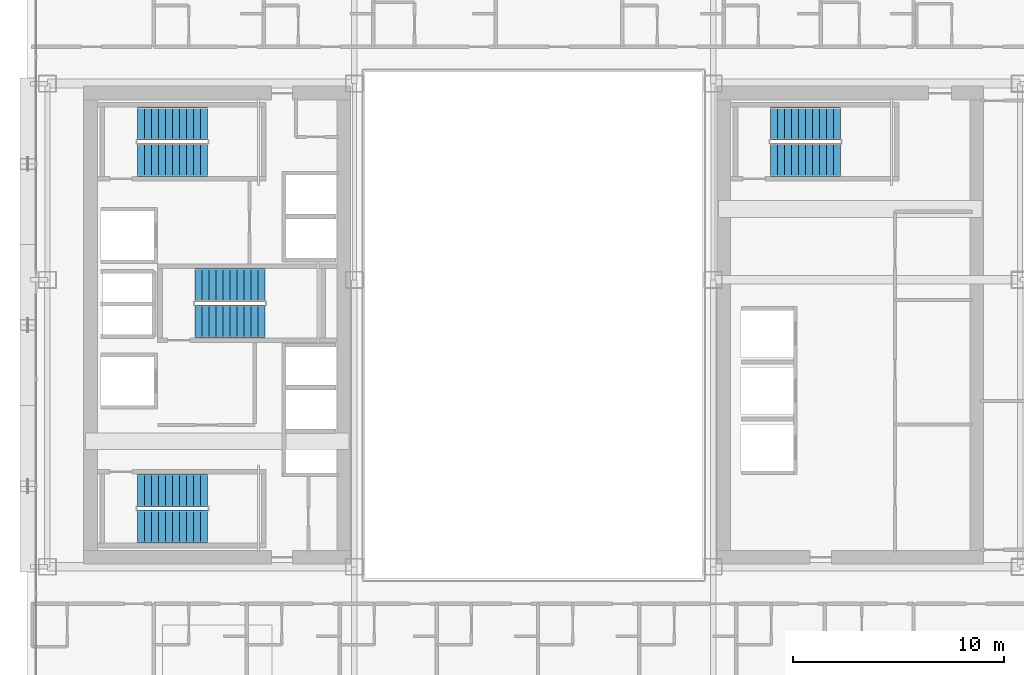
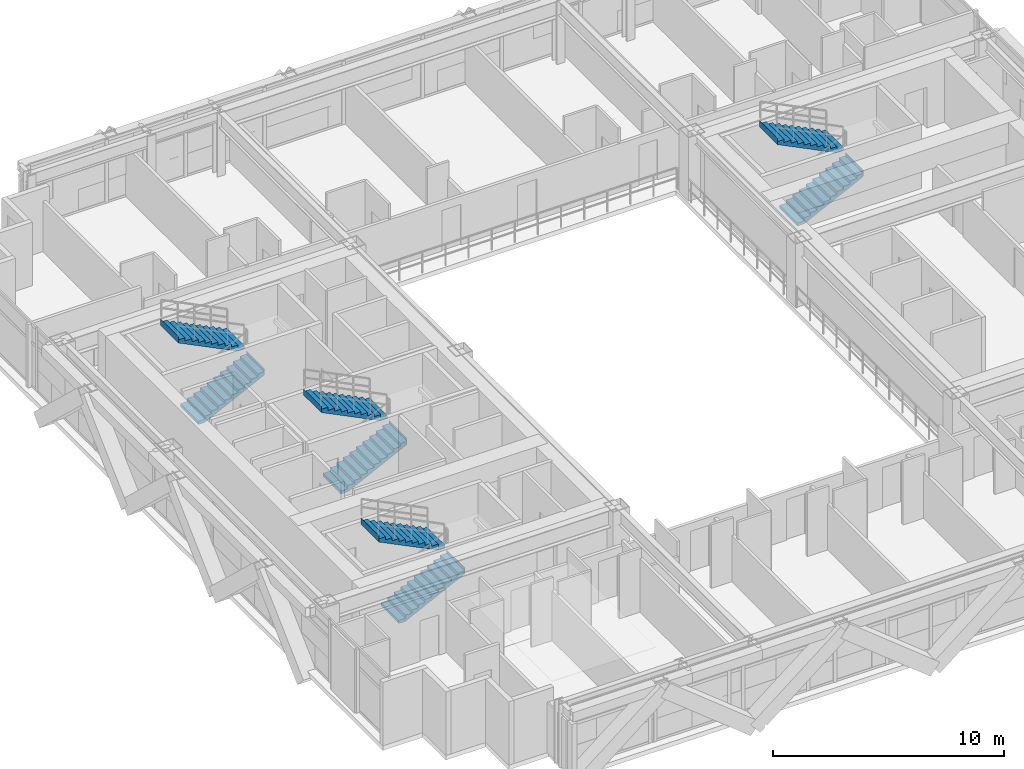
# One storey, part 32 of 36: 8 stair flights, 4 elements without a shape of their own.
"""IFC4 building model written with IfcOpenShell, lengths in metres."""

import ifcopenshell
import ifcopenshell.guid

model = None  # the IFC model being written
_history = None  # IfcOwnerHistory: only IFC2X3 demands one
_inside = {}  # id of a spatial element -> (the spatial element, [elements in it])
_under = {}  # id of a project, library or spatial element -> (it, [spatial elements below it])
_declared = {}  # id of a project -> (the project, [libraries it declares])
_typed = {}  # id of a type object -> (the type object, [elements of that type])
_made_of = {}  # id of a material, layer set ... -> (it, [elements and type objects made of it])


def new_model(schema):
    """Start an empty IFC model of exactly this schema.

    Asked for "IFC4X3", IfcOpenShell would pick the latest addendum, in which some entities
    have other attributes; the version numbers below select the first issue.
    IFC2X3 requires an IfcOwnerHistory on every rooted entity: one is made here for all.
    """
    global model, _history
    if schema == "IFC4X3":
        model = ifcopenshell.file(schema_version=(4, 3, 0, 0))
    else:
        model = ifcopenshell.file(schema=schema)
    _inside.clear()
    _under.clear()
    _declared.clear()
    _typed.clear()
    _made_of.clear()
    _history = None
    if model.schema == "IFC2X3":
        org = make("IfcOrganization", Name="unknown")
        user = make(
            "IfcPersonAndOrganization",
            ThePerson=make("IfcPerson", FamilyName="unknown"),
            TheOrganization=org,
        )
        app = make(
            "IfcApplication",
            ApplicationDeveloper=org,
            Version="unknown",
            ApplicationFullName="unknown",
            ApplicationIdentifier="unknown",
        )
        _history = make(
            "IfcOwnerHistory",
            OwningUser=user,
            OwningApplication=app,
            ChangeAction="ADDED",
            CreationDate=0,
        )
    return model


def make(cls, **values):
    """One entity of the class cls with the attributes given. An attribute that is None is left unset."""
    return model.create_entity(
        cls, **{name: value for name, value in values.items() if value is not None}
    )


def rooted(cls, **values):
    """An entity with a GlobalId (a new one), such as an element, a storey or a relation."""
    return make(cls, GlobalId=ifcopenshell.guid.new(), OwnerHistory=_history, **values)


def si_unit(unit_type, name, prefix=None):
    """IfcSIUnit, for example si_unit("LENGTHUNIT", "METRE", prefix="MILLI")."""
    return make("IfcSIUnit", UnitType=unit_type, Prefix=prefix, Name=name)


def assignment(units):
    """IfcUnitAssignment: the units of a project."""
    return None if units is None else make("IfcUnitAssignment", Units=units)


def point(xyz):
    """IfcCartesianPoint."""
    return None if xyz is None else make("IfcCartesianPoint", Coordinates=xyz)


def direction(xyz):
    """IfcDirection."""
    return None if xyz is None else make("IfcDirection", DirectionRatios=xyz)


def frame(location, z_axis=None, x_axis=None):
    """IfcAxis2Placement3D, a coordinate frame: its origin and axes. An axis left out is left unset."""
    return make(
        "IfcAxis2Placement3D",
        Location=point(location),
        Axis=direction(z_axis),
        RefDirection=direction(x_axis),
    )


def origin():
    """The frame at (0, 0, 0) with its axes left unset."""
    return frame((0.0, 0.0, 0.0))


def place(relative_to, where):
    """IfcLocalPlacement: puts the frame where relative to a parent placement (None: the world)."""
    return make(
        "IfcLocalPlacement", PlacementRelTo=relative_to, RelativePlacement=where
    )


def context(
    kind, dimensions, precision=None, world=None, true_north=None, identifier=None
):
    """IfcGeometricRepresentationContext, for example the 3D "Model" context."""
    return make(
        "IfcGeometricRepresentationContext",
        ContextIdentifier=identifier,
        ContextType=kind,
        CoordinateSpaceDimension=dimensions,
        Precision=precision,
        WorldCoordinateSystem=world,
        TrueNorth=true_north,
    )


def subcontext(parent, identifier, kind, view, scale=None):
    """IfcGeometricRepresentationSubContext, for example "Body" below "Model"."""
    return make(
        "IfcGeometricRepresentationSubContext",
        ContextIdentifier=identifier,
        ContextType=kind,
        ParentContext=parent,
        TargetScale=scale,
        TargetView=view,
    )


def project(units=None, contexts=None):
    """IfcProject with its units and contexts."""
    return rooted(
        "IfcProject",
        Name="project",
        RepresentationContexts=contexts,
        UnitsInContext=assignment(units),
    )


def spatial(cls, under=None, at=None, **own):
    """A site, building, storey or space (cls), placed at a placement, below another one or the project."""
    s = rooted(cls, ObjectPlacement=at, **own)
    if under is not None:
        _under.setdefault(under.id(), (under, []))[1].append(s)
    return s


def polyline(points):
    """IfcPolyline through the points."""
    return make("IfcPolyline", Points=[point(p) for p in points])


def outline(outer, holes=None, kind="AREA"):
    """IfcArbitraryClosedProfileDef: a profile drawn as a closed curve; with holes, ...WithVoids."""
    if holes is None:
        return make("IfcArbitraryClosedProfileDef", ProfileType=kind, OuterCurve=outer)
    return make(
        "IfcArbitraryProfileDefWithVoids",
        ProfileType=kind,
        OuterCurve=outer,
        InnerCurves=holes,
    )


def extrude(swept, where, along, depth):
    """IfcExtrudedAreaSolid: the profile swept, set in the frame where, extruded along a direction by depth."""
    return make(
        "IfcExtrudedAreaSolid",
        SweptArea=swept,
        Position=where,
        ExtrudedDirection=direction(along),
        Depth=depth,
    )


def shape(context_of_items, identifier, shape_type, items):
    """IfcShapeRepresentation: the items that make up one representation, for example the "Body"."""
    return make(
        "IfcShapeRepresentation",
        ContextOfItems=context_of_items,
        RepresentationIdentifier=identifier,
        RepresentationType=shape_type,
        Items=items,
    )


def source(mapping_origin, context_of_items, identifier, shape_type, items):
    """IfcRepresentationMap: a shape defined once, which mapped items show again and again."""
    return make(
        "IfcRepresentationMap",
        MappingOrigin=mapping_origin,
        MappedRepresentation=shape(context_of_items, identifier, shape_type, items),
    )


def transform(
    local_origin,
    x_axis=None,
    y_axis=None,
    z_axis=None,
    scale=None,
    scale2=None,
    scale3=None,
    uniform=True,
):
    """IfcCartesianTransformationOperator3D, or its non-uniform kind. x_axis, y_axis, z_axis: its Axis1, 2, 3."""
    if uniform:
        return make(
            "IfcCartesianTransformationOperator3D",
            Axis1=direction(x_axis),
            Axis2=direction(y_axis),
            LocalOrigin=point(local_origin),
            Scale=scale,
            Axis3=direction(z_axis),
        )
    return make(
        "IfcCartesianTransformationOperator3DnonUniform",
        Axis1=direction(x_axis),
        Axis2=direction(y_axis),
        LocalOrigin=point(local_origin),
        Scale=scale,
        Axis3=direction(z_axis),
        Scale2=scale2,
        Scale3=scale3,
    )


def mapped(mapping_source, mapping_target):
    """IfcMappedItem: shows the shape of a source again, moved by a transform."""
    return make(
        "IfcMappedItem", MappingSource=mapping_source, MappingTarget=mapping_target
    )


def material(Name=None, Category=None):
    """IfcMaterial."""
    return make("IfcMaterial", Name=Name, Category=Category)


def made_of(thing, what):
    """Note that an element or type object is made of a material, layer set ...; save() writes the relation."""
    if what is not None:
        _made_of.setdefault(what.id(), (what, []))[1].append(thing)
    return thing


def type_object(cls, material=None, **own):
    """A type object (cls), such as IfcWallType, which elements share."""
    return made_of(rooted(cls, **own), material)


def element(
    cls,
    number,
    at=None,
    inside=None,
    cuts=None,
    type_object=None,
    material=None,
    context=None,
    identifier="Body",
    shape_type=None,
    held_by="IfcProductDefinitionShape",
    body=None,
    shapes=None,
    **own,
):
    """One element of the class cls, such as IfcWall. Its Tag is "e" and its number.

    at: its placement. inside: the storey or other place that contains it. cuts: it is an
    opening in that element (IfcRelVoidsElement). A single representation is given by context,
    identifier, shape_type and body (its items); several are given by shapes. held_by: the class
    of the entity that holds the representations. save() writes the other relations.
    """
    e = rooted(cls, Tag="e%d" % number, ObjectPlacement=at, **own)
    if body is not None:
        shapes = [shape(context, identifier, shape_type, body)]
    if shapes is not None:
        e.Representation = make(held_by, Representations=shapes)
    if inside is not None:
        _inside.setdefault(inside.id(), (inside, []))[1].append(e)
    if cuts is not None:
        rooted(
            "IfcRelVoidsElement", RelatingBuildingElement=cuts, RelatedOpeningElement=e
        )
    if type_object is not None:
        _typed.setdefault(type_object.id(), (type_object, []))[1].append(e)
    return made_of(e, material)


def aggregate(whole, parts):
    """IfcRelAggregates: a whole, such as a stair, and the parts it consists of."""
    return rooted("IfcRelAggregates", RelatingObject=whole, RelatedObjects=parts)


def save(model, path):
    """Write the relations noted so far, then the file.

    IfcRelAggregates (storeys below a building ...), IfcRelContainedInSpatialStructure (elements
    in a storey), IfcRelDefinesByType, IfcRelAssociatesMaterial and IfcRelDeclares: one each for
    every whole, place, type object, material and project.
    """
    for whole, parts in _under.values():
        aggregate(whole, parts)
    for where, things in _inside.values():
        rooted(
            "IfcRelContainedInSpatialStructure",
            RelatedElements=things,
            RelatingStructure=where,
        )
    for kind, things in _typed.values():
        rooted("IfcRelDefinesByType", RelatedObjects=things, RelatingType=kind)
    for what, things in _made_of.values():
        rooted("IfcRelAssociatesMaterial", RelatedObjects=things, RelatingMaterial=what)
    for by, libraries in _declared.values():
        rooted("IfcRelDeclares", RelatingContext=by, RelatedDefinitions=libraries)
    model.write(path)


model = new_model("IFC4")

# Units and contexts
model_context = context("Model", 3, precision=1e-05, world=origin(), true_north=direction((0.0, 1.0)))
body_context = subcontext(model_context, "Body", "Model", "MODEL_VIEW")
ifc_project = project(units=[si_unit("LENGTHUNIT", "METRE"), si_unit("AREAUNIT", "SQUARE_METRE"), si_unit("VOLUMEUNIT", "CUBIC_METRE"), si_unit("PLANEANGLEUNIT", "RADIAN"), si_unit("MASSUNIT", "GRAM", prefix="KILO")], contexts=[model_context])

# Site, building, storey
site_placement = place(None, origin())
site = spatial("IfcSite", under=ifc_project, at=site_placement, CompositionType="ELEMENT")
building_placement = place(site_placement, origin())
building = spatial("IfcBuilding", under=site, at=building_placement, Name="Ocotamira Hotel", CompositionType="ELEMENT")
storey_placement = place(building_placement, frame((0.0, 0.0, 97.199951171875)))
storey = spatial("IfcBuildingStorey", under=building, at=storey_placement, Name="L23", CompositionType="ELEMENT", Elevation=97.199951171875)

# Stair, stair flights
ifc_material = material(Name="Concrete C40/50", Category="concrete")
stair_type = type_object("IfcStairType", Name="ST-CORE-1560", PredefinedType="HALF_TURN_STAIR", material=ifc_material)
stair_1_placement = place(storey_placement, origin())
stair_1 = element("IfcStair", 1, at=stair_1_placement, inside=storey, type_object=stair_type, Name="L23 Exit Stair ST-1", PredefinedType="HALF_TURN_STAIR")
stair_flight_type = type_object("IfcStairFlightType", Name="STF-CORE-1560", PredefinedType="STRAIGHT", material=ifc_material)
shared_shape = source(origin(), body_context, "Body", "SweptSolid", [
    extrude(outline(polyline([(-0.00390625, 0.0), (-0.00390625, 0.16357421875), (0.330078125, 0.16357421875), (0.330078125, 0.327392578125), (0.659912109375, 0.327392578125), (0.659912109375, 0.490966796875), (0.989990234375, 0.490966796875), (0.989990234375, 0.654541015625), (1.320068359375, 0.654541015625), (1.320068359375, 0.818115234375), (1.64990234375, 0.818115234375), (1.64990234375, 0.98193359375), (1.97998046875, 0.98193359375), (1.97998046875, 1.1455078125), (2.31005859375, 1.1455078125), (2.31005859375, 1.30908203125), (2.639892578125, 1.30908203125), (2.639892578125, 1.47265625), (2.969970703125, 1.47265625), (2.969970703125, 1.636474609375), (3.300048828125, 1.636474609375), (3.300048828125, 1.800048828125), (3.303955078125, 1.800048828125), (3.303955078125, 1.468994140625), (0.33740234375, 0.0), (-0.00390625, 0.0)])), frame((0.0, 0.780029296875, 0.0), z_axis=(0.0, -1.0, 0.0), x_axis=(1.0, 0.0, 0.0)), (0.0, 0.0, 1.0), 1.56005859375),
])
stair_flight_1_placement = place(storey_placement, frame((13.22998046875, 16.449951171875, 0.0), z_axis=(0.0, 0.0, 1.0), x_axis=(1.0, 0.0, 0.0)))
stair_flight_1 = element("IfcStairFlight", 2, at=stair_flight_1_placement, type_object=stair_flight_type, Name="ST-1 flight 1", NumberOfRisers=11, NumberOfTreads=10, PredefinedType="STRAIGHT", RiserHeight=0.163636364, TreadLength=0.33, context=body_context, shape_type="MappedRepresentation", body=[
    mapped(shared_shape, transform((0.0, 0.0, 0.0), scale=1.0)),
])
stair_flight_2_placement = place(storey_placement, frame((16.530029296875, 18.169921875, 1.800048828125), z_axis=(0.0, 0.0, 1.0), x_axis=(-1.0, 0.0, 0.0)))
stair_flight_2 = element("IfcStairFlight", 3, at=stair_flight_2_placement, type_object=stair_flight_type, Name="ST-1 flight 2", NumberOfRisers=11, NumberOfTreads=10, PredefinedType="STRAIGHT", RiserHeight=0.163636364, TreadLength=0.33, context=body_context, shape_type="MappedRepresentation", body=[
    mapped(shared_shape, transform((0.0, 0.0, 0.0), scale=1.0)),
])
aggregate(stair_1, [stair_flight_1, stair_flight_2])

stair_2_placement = place(storey_placement, origin())
stair_2 = element("IfcStair", 4, at=stair_2_placement, inside=storey, type_object=stair_type, Name="L23 Exit Stair ST-2", PredefinedType="HALF_TURN_STAIR")
stair_flight_3_placement = place(storey_placement, frame((13.22998046875, 33.830078125, 0.0), z_axis=(0.0, 0.0, 1.0), x_axis=(1.0, 0.0, 0.0)))
stair_flight_3 = element("IfcStairFlight", 5, at=stair_flight_3_placement, type_object=stair_flight_type, Name="ST-2 flight 1", NumberOfRisers=11, NumberOfTreads=10, PredefinedType="STRAIGHT", RiserHeight=0.163636364, TreadLength=0.33, context=body_context, shape_type="MappedRepresentation", body=[
    mapped(shared_shape, transform((0.0, 0.0, 0.0), scale=1.0)),
])
stair_flight_4_placement = place(storey_placement, frame((16.530029296875, 35.550048828125, 1.800048828125), z_axis=(0.0, 0.0, 1.0), x_axis=(-1.0, 0.0, 0.0)))
stair_flight_4 = element("IfcStairFlight", 6, at=stair_flight_4_placement, type_object=stair_flight_type, Name="ST-2 flight 2", NumberOfRisers=11, NumberOfTreads=10, PredefinedType="STRAIGHT", RiserHeight=0.163636364, TreadLength=0.33, context=body_context, shape_type="MappedRepresentation", body=[
    mapped(shared_shape, transform((0.0, 0.0, 0.0), scale=1.0)),
])
aggregate(stair_2, [stair_flight_3, stair_flight_4])

stair_3_placement = place(storey_placement, origin())
stair_3 = element("IfcStair", 7, at=stair_3_placement, inside=storey, type_object=stair_type, Name="L23 Exit Stair ST-3", PredefinedType="HALF_TURN_STAIR")
stair_flight_5_placement = place(storey_placement, frame((15.9599609375, 26.179931640625, 0.0), z_axis=(0.0, 0.0, 1.0), x_axis=(1.0, 0.0, 0.0)))
stair_flight_5 = element("IfcStairFlight", 8, at=stair_flight_5_placement, type_object=stair_flight_type, Name="ST-3 flight 1", NumberOfRisers=11, NumberOfTreads=10, PredefinedType="STRAIGHT", RiserHeight=0.163636364, TreadLength=0.33, context=body_context, shape_type="MappedRepresentation", body=[
    mapped(shared_shape, transform((0.0, 0.0, 0.0), scale=1.0)),
])
stair_flight_6_placement = place(storey_placement, frame((19.260009765625, 27.89990234375, 1.800048828125), z_axis=(0.0, 0.0, 1.0), x_axis=(-1.0, 0.0, 0.0)))
stair_flight_6 = element("IfcStairFlight", 9, at=stair_flight_6_placement, type_object=stair_flight_type, Name="ST-3 flight 2", NumberOfRisers=11, NumberOfTreads=10, PredefinedType="STRAIGHT", RiserHeight=0.163636364, TreadLength=0.33, context=body_context, shape_type="MappedRepresentation", body=[
    mapped(shared_shape, transform((0.0, 0.0, 0.0), scale=1.0)),
])
aggregate(stair_3, [stair_flight_5, stair_flight_6])

stair_4_placement = place(storey_placement, origin())
stair_4 = element("IfcStair", 10, at=stair_4_placement, inside=storey, type_object=stair_type, Name="L23 Exit Stair ST-4", PredefinedType="HALF_TURN_STAIR")
stair_flight_7_placement = place(storey_placement, frame((43.22998046875, 33.830078125, 0.0), z_axis=(0.0, 0.0, 1.0), x_axis=(1.0, 0.0, 0.0)))
stair_flight_7 = element("IfcStairFlight", 11, at=stair_flight_7_placement, type_object=stair_flight_type, Name="ST-4 flight 1", NumberOfRisers=11, NumberOfTreads=10, PredefinedType="STRAIGHT", RiserHeight=0.163636364, TreadLength=0.33, context=body_context, shape_type="MappedRepresentation", body=[
    mapped(shared_shape, transform((0.0, 0.0, 0.0), scale=1.0)),
])
stair_flight_8_placement = place(storey_placement, frame((46.530029296875, 35.550048828125, 1.800048828125), z_axis=(0.0, 0.0, 1.0), x_axis=(-1.0, 0.0, 0.0)))
stair_flight_8 = element("IfcStairFlight", 12, at=stair_flight_8_placement, type_object=stair_flight_type, Name="ST-4 flight 2", NumberOfRisers=11, NumberOfTreads=10, PredefinedType="STRAIGHT", RiserHeight=0.163636364, TreadLength=0.33, context=body_context, shape_type="MappedRepresentation", body=[
    mapped(shared_shape, transform((0.0, 0.0, 0.0), scale=1.0)),
])
aggregate(stair_4, [stair_flight_7, stair_flight_8])

save(model, "model.ifc")
